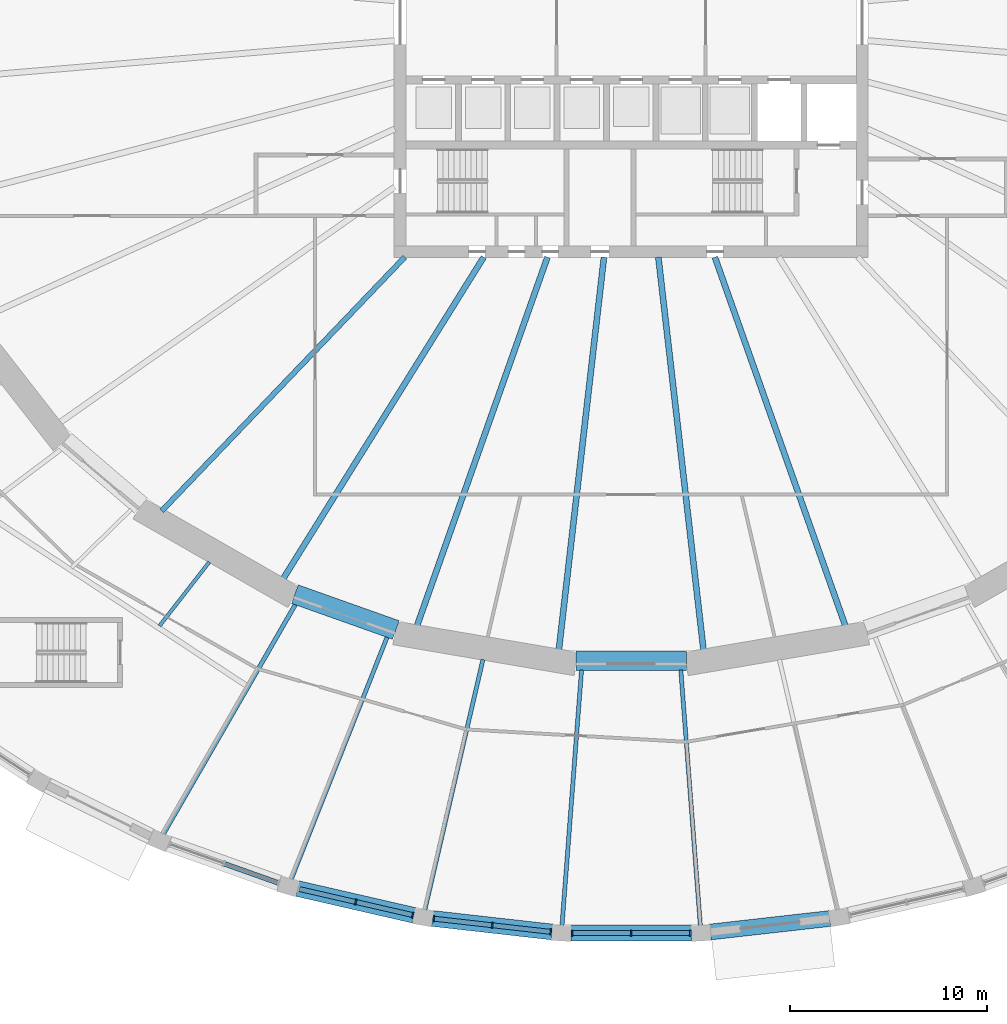
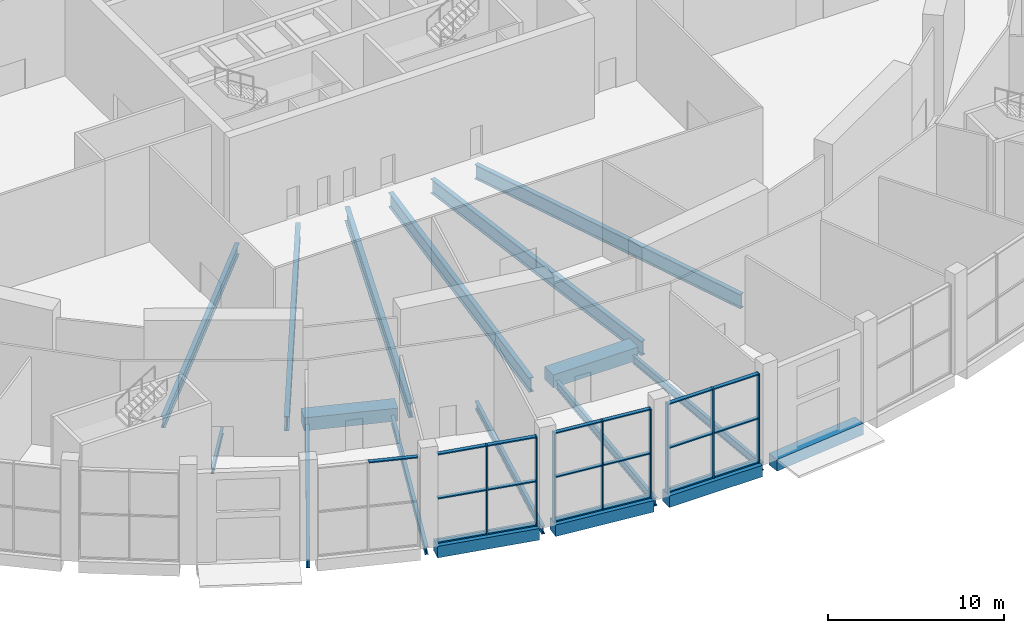
# One storey, part 3 of 33: 27 members, 18 beams, 4 elements without a shape of their own.
"""IFC4 building model written with IfcOpenShell, lengths in metres."""

from ifc_helpers import new_model, si_unit, direction, frame, origin, origin_2d, place, context, subcontext, project, spatial, rectangle, i_section, extrude, material, material_profile, profile_set, type_object, element, aggregate, save


model = new_model("IFC4")

# Units and contexts
model_context = context("Model", 3, precision=1e-05, world=origin(), true_north=direction((0.0, 1.0)))
body_context = subcontext(model_context, "Body", "Model", "MODEL_VIEW")
ifc_project = project(units=[si_unit("LENGTHUNIT", "METRE"), si_unit("AREAUNIT", "SQUARE_METRE"), si_unit("VOLUMEUNIT", "CUBIC_METRE"), si_unit("PLANEANGLEUNIT", "RADIAN"), si_unit("MASSUNIT", "GRAM", prefix="KILO")], contexts=[model_context])

# Site, building, storey
site_placement = place(None, origin())
site = spatial("IfcSite", under=ifc_project, at=site_placement, CompositionType="ELEMENT")
building_placement = place(site_placement, origin())
building = spatial("IfcBuilding", under=site, at=building_placement, Name="Halqa Exchange Tower", CompositionType="ELEMENT")
storey_placement = place(building_placement, origin())
storey = spatial("IfcBuildingStorey", under=building, at=storey_placement, Name="L00", CompositionType="ELEMENT", Elevation=0.0)

# Beams
ifc_material_1 = material(Name="Steel S355", Category="steel")
ifc_material_profile_1 = material_profile(ifc_material_1, i_section(OverallWidth=0.300048828125, OverallDepth=0.989990234375, WebThickness=0.0166015625, FlangeThickness=0.031005859375, FilletRadius=0.030029296875, at=origin_2d()), Name="HEA 1000")
ifc_profile_set_1 = profile_set([ifc_material_profile_1], Name="Steel S355")
beam_type_1 = type_object("IfcBeamType", Name="Floor beam HEA 1000", PredefinedType="BEAM", material=ifc_profile_set_1)
beam_1_placement = place(storey_placement, frame((-7.46533203125, -11.971435546875, -0.945068359375), z_axis=(-0.529145823441, -0.848530905468, 0.0), x_axis=(0.848530905468, -0.529145823441, 0.0)))
element("IfcBeam", 1, at=beam_1_placement, inside=storey, type_object=beam_type_1, Name="Radial beam 22", PredefinedType="BEAM", context=body_context, shape_type="SweptSolid", body=[
    extrude(i_section(OverallWidth=0.300048828125, OverallDepth=0.989990234375, WebThickness=0.0166015625, FlangeThickness=0.031005859375, FilletRadius=0.030029296875, at=origin_2d()), origin(), (0.0, 0.0, 1.0), 19.27294921875),
])
ifc_material_profile_2 = material_profile(ifc_material_1, i_section(OverallWidth=0.300048828125, OverallDepth=1.0, WebThickness=0.01904296875, FlangeThickness=0.035888671875, FilletRadius=0.030029296875, at=origin_2d()), Name="HEB 1000")
ifc_profile_set_2 = profile_set([ifc_material_profile_2], Name="Steel S355")
beam_type_2 = type_object("IfcBeamType", Name="Floor beam HEB 1000", PredefinedType="BEAM", material=ifc_profile_set_2)
beam_2_placement = place(storey_placement, frame((-4.23681640625, -11.971923828125, -0.949951171875), z_axis=(-0.333633039334, -0.942703025913, 0.0), x_axis=(0.942703025913, -0.333633039334, 0.0)))
element("IfcBeam", 2, at=beam_2_placement, inside=storey, type_object=beam_type_2, Name="Radial beam 23", PredefinedType="BEAM", context=body_context, shape_type="SweptSolid", body=[
    extrude(i_section(OverallWidth=0.300048828125, OverallDepth=1.0, WebThickness=0.01904296875, FlangeThickness=0.035888671875, FilletRadius=0.030029296875, at=origin_2d()), origin(), (0.0, 0.0, 1.0), 19.885009765625),
])
for number, where, z_axis, x_axis, name in (
    (3, (-1.375732421875, -11.972900390625, -0.949951171875), (-0.114166838833, -0.99346159106, 0.0), (0.99346159106, -0.114166838833, 0.0), "Radial beam 24"),
    (4, (1.375732421875, -11.972900390625, -0.949951171875), (0.114166838833, -0.99346159106, 0.0), (0.99346159106, 0.114166838833, 0.0), "Radial beam 25"),
):
    element("IfcBeam", number, at=place(storey_placement, frame(where, z_axis=z_axis, x_axis=x_axis)), inside=storey, type_object=beam_type_2, Name=name, PredefinedType="BEAM", context=body_context, shape_type="SweptSolid", body=[
        extrude(i_section(OverallWidth=0.300048828125, OverallDepth=1.0, WebThickness=0.01904296875, FlangeThickness=0.035888671875, FilletRadius=0.030029296875, at=origin_2d()), origin(), (0.0, 0.0, 1.0), 20.103515625),
    ])
beam_3_placement = place(storey_placement, frame((4.23681640625, -11.971923828125, -0.949951171875), z_axis=(0.333633039334, -0.942703025913, 0.0), x_axis=(0.942703025913, 0.333633039334, 0.0)))
element("IfcBeam", 5, at=beam_3_placement, inside=storey, type_object=beam_type_2, Name="Radial beam 26", PredefinedType="BEAM", context=body_context, shape_type="SweptSolid", body=[
    extrude(i_section(OverallWidth=0.300048828125, OverallDepth=1.0, WebThickness=0.01904296875, FlangeThickness=0.035888671875, FilletRadius=0.030029296875, at=origin_2d()), origin(), (0.0, 0.0, 1.0), 19.885009765625),
])
ifc_material_profile_3 = material_profile(ifc_material_1, i_section(OverallWidth=0.179931640625, OverallDepth=0.39990234375, WebThickness=0.008544921875, FlangeThickness=0.013427734375, FilletRadius=0.02099609375, at=origin_2d()), Name="IPE 400")
ifc_profile_set_3 = profile_set([ifc_material_profile_3], Name="Steel S355")
beam_type_3 = type_object("IfcBeamType", Name="Floor beam IPE 400", PredefinedType="BEAM", material=ifc_profile_set_3)
beam_4_placement = place(storey_placement, frame((-21.3603515625, -27.40966796875, -0.64990234375), z_axis=(-0.614706293657, -0.788756091919, 0.0), x_axis=(0.788756091919, -0.614706293657, 0.0)))
element("IfcBeam", 6, at=beam_4_placement, inside=storey, type_object=beam_type_3, Name="Radial beam 32a", PredefinedType="BEAM", context=body_context, shape_type="SweptSolid", body=[
    extrude(i_section(OverallWidth=0.179931640625, OverallDepth=0.39990234375, WebThickness=0.008544921875, FlangeThickness=0.013427734375, FilletRadius=0.02099609375, at=origin_2d()), origin(), (0.0, 0.0, 1.0), 4.104248046875),
])
ifc_material_profile_4 = material_profile(ifc_material_1, i_section(OverallWidth=0.2099609375, OverallDepth=0.550048828125, WebThickness=0.010986328125, FlangeThickness=0.01708984375, FilletRadius=0.02392578125, at=origin_2d()), Name="IPE 550")
ifc_profile_set_4 = profile_set([ifc_material_profile_4], Name="Steel S355")
beam_type_4 = type_object("IfcBeamType", Name="Floor beam IPE 550", PredefinedType="BEAM", material=ifc_profile_set_4)
beam_5_placement = place(storey_placement, frame((-12.352294921875, -31.2001953125, -0.72509765625), z_axis=(-0.368106640822, -0.929783577497, 0.0), x_axis=(0.929783577497, -0.368106640822, 0.0)))
element("IfcBeam", 7, at=beam_5_placement, inside=storey, type_object=beam_type_4, Name="Radial beam 34", PredefinedType="BEAM", context=body_context, shape_type="SweptSolid", body=[
    extrude(i_section(OverallWidth=0.2099609375, OverallDepth=0.550048828125, WebThickness=0.010986328125, FlangeThickness=0.01708984375, FilletRadius=0.02392578125, at=origin_2d()), origin(), (0.0, 0.0, 1.0), 13.22412109375),
])
beam_6_placement = place(storey_placement, frame((-7.5048828125, -32.35009765625, -0.72509765625), z_axis=(-0.2259960959, -0.974128207495, 0.0), x_axis=(0.974128207495, -0.2259960959, 0.0)))
element("IfcBeam", 8, at=beam_6_placement, inside=storey, type_object=beam_type_4, Name="Radial beam 35", PredefinedType="BEAM", context=body_context, shape_type="SweptSolid", body=[
    extrude(i_section(OverallWidth=0.2099609375, OverallDepth=0.550048828125, WebThickness=0.010986328125, FlangeThickness=0.01708984375, FilletRadius=0.02392578125, at=origin_2d()), origin(), (0.0, 0.0, 1.0), 13.03466796875),
])
for number, where, z_axis, x_axis, name in (
    (9, (-2.513916015625, -32.88623046875, -0.72509765625), (-0.076223337155, -0.997090769626, 0.0), (0.997090769626, -0.076223337155, 0.0), "Radial beam 36"),
    (10, (2.513916015625, -32.88623046875, -0.72509765625), (0.076223337155, -0.997090769626, 0.0), (0.997090769626, 0.076223337155, 0.0), "Radial beam 37"),
):
    element("IfcBeam", number, at=place(storey_placement, frame(where, z_axis=z_axis, x_axis=x_axis)), inside=storey, type_object=beam_type_4, Name=name, PredefinedType="BEAM", context=body_context, shape_type="SweptSolid", body=[
        extrude(i_section(OverallWidth=0.2099609375, OverallDepth=0.550048828125, WebThickness=0.010986328125, FlangeThickness=0.01708984375, FilletRadius=0.02392578125, at=origin_2d()), origin(), (0.0, 0.0, 1.0), 12.981689453125),
    ])
ifc_material_profile_5 = material_profile(ifc_material_1, i_section(OverallWidth=0.219970703125, OverallDepth=0.60009765625, WebThickness=0.011962890625, FlangeThickness=0.01904296875, FilletRadius=0.02392578125, at=origin_2d()), Name="IPE 600")
ifc_profile_set_5 = profile_set([ifc_material_profile_5], Name="Steel S355")
beam_type_5 = type_object("IfcBeamType", Name="Floor beam IPE 600", PredefinedType="BEAM", material=ifc_profile_set_5)
beam_7_placement = place(storey_placement, frame((-16.996826171875, -29.551513671875, -0.75), z_axis=(-0.498570786865, -0.866848989435, 0.0), x_axis=(0.866848989435, -0.498570786865, 0.0)))
element("IfcBeam", 11, at=beam_7_placement, inside=storey, type_object=beam_type_5, Name="Radial beam 33", PredefinedType="BEAM", context=body_context, shape_type="SweptSolid", body=[
    extrude(i_section(OverallWidth=0.219970703125, OverallDepth=0.60009765625, WebThickness=0.011962890625, FlangeThickness=0.01904296875, FilletRadius=0.02392578125, at=origin_2d()), origin(), (0.0, 0.0, 1.0), 13.438720703125),
])
ifc_material_profile_6 = material_profile(ifc_material_1, i_section(OverallWidth=0.26806640625, OverallDepth=0.77001953125, WebThickness=0.015625, FlangeThickness=0.025390625, FilletRadius=0.01708984375, at=origin_2d()), Name="IPE 750x196")
ifc_profile_set_6 = profile_set([ifc_material_profile_6], Name="Steel S355")
beam_type_6 = type_object("IfcBeamType", Name="Floor beam IPE 750x196", PredefinedType="BEAM", material=ifc_profile_set_6)
beam_8_placement = place(storey_placement, frame((-11.46240234375, -11.9716796875, -0.8349609375), z_axis=(-0.6915763718, -0.722303344841, 0.0), x_axis=(0.722303344841, -0.6915763718, 0.0)))
element("IfcBeam", 12, at=beam_8_placement, inside=storey, type_object=beam_type_6, Name="Radial beam 21", PredefinedType="BEAM", context=body_context, shape_type="SweptSolid", body=[
    extrude(i_section(OverallWidth=0.26806640625, OverallDepth=0.77001953125, WebThickness=0.015625, FlangeThickness=0.025390625, FilletRadius=0.01708984375, at=origin_2d()), origin(), (0.0, 0.0, 1.0), 17.7978515625),
])
ifc_material_2 = material(Name="Concrete C60/75", Category="concrete")
ifc_material_profile_7 = material_profile(ifc_material_2, rectangle(XDim=0.800048828125, YDim=0.800048828125, at=origin_2d()), Name="800 x 800")
ifc_profile_set_7 = profile_set([ifc_material_profile_7], Name="Concrete C60/75")
beam_type_7 = type_object("IfcBeamType", Name="RC podium edge beam 800 x 800 C60/75", PredefinedType="SPANDREL", material=ifc_profile_set_7)
beam_9_placement = place(storey_placement, frame((-16.89794921875, -43.948486328125, -0.39990234375), z_axis=(0.974604133477, -0.223934774008, 0.0), x_axis=(0.223934774008, 0.974604133477, 0.0)))
element("IfcBeam", 13, at=beam_9_placement, inside=storey, type_object=beam_type_7, Name="Podium edge beam 34", PredefinedType="SPANDREL", context=body_context, shape_type="SweptSolid", body=[
    extrude(rectangle(XDim=0.800048828125, YDim=0.800048828125, at=origin_2d()), origin(), (0.0, 0.0, 1.0), 6.05517578125),
])
beam_10_placement = place(storey_placement, frame((-10.064453125, -45.46337890625, -0.39990234375), z_axis=(0.993688954696, -0.112170679393, 0.0), x_axis=(0.112170679393, 0.993688954696, 0.0)))
element("IfcBeam", 14, at=beam_10_placement, inside=storey, type_object=beam_type_7, Name="Podium edge beam 35", PredefinedType="SPANDREL", context=body_context, shape_type="SweptSolid", body=[
    extrude(rectangle(XDim=0.800048828125, YDim=0.800048828125, at=origin_2d()), origin(), (0.0, 0.0, 1.0), 6.100830078125),
])
beam_11_placement = place(storey_placement, frame((-3.05859375, -46.200927734375, -0.39990234375), z_axis=(1.0, 0.0, 0.0), x_axis=(0.0, 1.0, 0.0)))
element("IfcBeam", 15, at=beam_11_placement, inside=storey, type_object=beam_type_7, Name="Podium edge beam 36", PredefinedType="SPANDREL", context=body_context, shape_type="SweptSolid", body=[
    extrude(rectangle(XDim=0.800048828125, YDim=0.800048828125, at=origin_2d()), origin(), (0.0, 0.0, 1.0), 6.1171875),
])
beam_12_placement = place(storey_placement, frame((4.002197265625, -46.147705078125, -0.39990234375), z_axis=(0.993688954696, 0.112170679393, 0.0), x_axis=(-0.112170679393, 0.993688954696, 0.0)))
element("IfcBeam", 16, at=beam_12_placement, inside=storey, type_object=beam_type_7, Name="Podium edge beam 37", PredefinedType="SPANDREL", context=body_context, shape_type="SweptSolid", body=[
    extrude(rectangle(XDim=0.800048828125, YDim=0.800048828125, at=origin_2d()), origin(), (0.0, 0.0, 1.0), 6.100830078125),
])
ifc_material_profile_8 = material_profile(ifc_material_2, rectangle(XDim=1.0, YDim=0.89990234375, at=origin_2d()), Name="1000 x 900")
ifc_profile_set_8 = profile_set([ifc_material_profile_8], Name="Concrete C60/75")
beam_type_8 = type_object("IfcBeamType", Name="RC spandrel beam 1000 x 900 C60/75", PredefinedType="SPANDREL", material=ifc_profile_set_8)
beam_13_placement = place(storey_placement, frame((-17.030029296875, -29.038818359375, -0.449951171875), z_axis=(0.942357788657, -0.334606930826, 0.0), x_axis=(0.334606930826, 0.942357788657, 0.0)))
element("IfcBeam", 17, at=beam_13_placement, inside=storey, type_object=beam_type_8, Name="Spandrel 22", PredefinedType="SPANDREL", context=body_context, shape_type="SweptSolid", body=[
    extrude(rectangle(XDim=1.0, YDim=0.89990234375, at=origin_2d()), origin(), (0.0, 0.0, 1.0), 5.429931640625),
])
beam_14_placement = place(storey_placement, frame((-2.789794921875, -32.41455078125, -0.449951171875), z_axis=(1.0, 0.0, 0.0), x_axis=(0.0, 1.0, 0.0)))
element("IfcBeam", 18, at=beam_14_placement, inside=storey, type_object=beam_type_8, Name="Spandrel 24", PredefinedType="SPANDREL", context=body_context, shape_type="SweptSolid", body=[
    extrude(rectangle(XDim=1.0, YDim=0.89990234375, at=origin_2d()), origin(), (0.0, 0.0, 1.0), 5.57958984375),
])

# Curtain wall, members
ifc_material_3 = material(Name="Anodised aluminium and clear glass", Category="aluminium")
curtain_wall_type = type_object("IfcCurtainWallType", Name="Station concourse glazing", PredefinedType="NOTDEFINED", material=ifc_material_3)
curtain_wall_1_placement = place(storey_placement, origin())
curtain_wall_1 = element("IfcCurtainWall", 19, at=curtain_wall_1_placement, inside=storey, type_object=curtain_wall_type, Name="Station concourse glazing run P34", PredefinedType="NOTDEFINED")
ifc_material_4 = material(Name="Anodised aluminium", Category="aluminium")
ifc_material_profile_9 = material_profile(ifc_material_4, rectangle(XDim=0.300048828125, YDim=0.080078125, at=origin_2d()), Name="AL 80x300")
ifc_profile_set_9 = profile_set([ifc_material_profile_9], Name="Anodised aluminium")
member_type_1 = type_object("IfcMemberType", Name="Station concourse glazing mullion 80 x 300", PredefinedType="MULLION", material=ifc_profile_set_9)
member_1_placement = place(storey_placement, frame((-13.9462890625, -44.626708984375, 0.0), z_axis=(0.0, 0.0, 1.0), x_axis=(0.223896655269, 0.974612891234, 0.0)))
member_1 = element("IfcMember", 20, at=member_1_placement, type_object=member_type_1, Name="P34 mullion 2", PredefinedType="MULLION", context=body_context, shape_type="SweptSolid", body=[
    extrude(rectangle(XDim=0.300048828125, YDim=0.080078125, at=origin_2d()), origin(), (0.0, 0.0, 1.0), 6.199951171875),
])
member_2_placement = place(storey_placement, frame((-11.061279296875, -45.28955078125, 0.0), z_axis=(0.0, 0.0, 1.0), x_axis=(0.223896655269, 0.974612891234, 0.0)))
member_2 = element("IfcMember", 21, at=member_2_placement, type_object=member_type_1, Name="P34 mullion 3", PredefinedType="MULLION", context=body_context, shape_type="SweptSolid", body=[
    extrude(rectangle(XDim=0.300048828125, YDim=0.080078125, at=origin_2d()), origin(), (0.0, 0.0, 1.0), 6.199951171875),
])

curtain_wall_2_placement = place(storey_placement, origin())
curtain_wall_2 = element("IfcCurtainWall", 22, at=curtain_wall_2_placement, inside=storey, type_object=curtain_wall_type, Name="Station concourse glazing run P35", PredefinedType="NOTDEFINED")
member_3_placement = place(storey_placement, frame((-9.998291015625, -45.470947265625, 0.0), z_axis=(0.0, 0.0, 1.0), x_axis=(0.112159098874, 0.993690261872, 0.0)))
member_3 = element("IfcMember", 23, at=member_3_placement, type_object=member_type_1, Name="P35 mullion 1", PredefinedType="MULLION", context=body_context, shape_type="SweptSolid", body=[
    extrude(rectangle(XDim=0.300048828125, YDim=0.080078125, at=origin_2d()), origin(), (0.0, 0.0, 1.0), 6.199951171875),
])
member_4_placement = place(storey_placement, frame((-7.033447265625, -45.8056640625, 0.0), z_axis=(0.0, 0.0, 1.0), x_axis=(0.112159098874, 0.993690261872, 0.0)))
member_4 = element("IfcMember", 24, at=member_4_placement, type_object=member_type_1, Name="P35 mullion 2", PredefinedType="MULLION", context=body_context, shape_type="SweptSolid", body=[
    extrude(rectangle(XDim=0.300048828125, YDim=0.080078125, at=origin_2d()), origin(), (0.0, 0.0, 1.0), 6.199951171875),
])
member_5_placement = place(storey_placement, frame((-4.068359375, -46.140380859375, 0.0), z_axis=(0.0, 0.0, 1.0), x_axis=(0.112159098874, 0.993690261872, 0.0)))
member_5 = element("IfcMember", 25, at=member_5_placement, type_object=member_type_1, Name="P35 mullion 3", PredefinedType="MULLION", context=body_context, shape_type="SweptSolid", body=[
    extrude(rectangle(XDim=0.300048828125, YDim=0.080078125, at=origin_2d()), origin(), (0.0, 0.0, 1.0), 6.199951171875),
])

curtain_wall_3_placement = place(storey_placement, origin())
curtain_wall_3 = element("IfcCurtainWall", 26, at=curtain_wall_3_placement, inside=storey, type_object=curtain_wall_type, Name="Station concourse glazing run P36", PredefinedType="NOTDEFINED")
member_6_placement = place(storey_placement, frame((-2.99169921875, -46.200927734375, 0.0), z_axis=(0.0, 0.0, 1.0), x_axis=(0.0, 1.0, 0.0)))
member_6 = element("IfcMember", 27, at=member_6_placement, type_object=member_type_1, Name="P36 mullion 1", PredefinedType="MULLION", context=body_context, shape_type="SweptSolid", body=[
    extrude(rectangle(XDim=0.300048828125, YDim=0.080078125, at=origin_2d()), origin(), (0.0, 0.0, 1.0), 6.199951171875),
])
member_7_placement = place(storey_placement, frame((0.0, -46.200927734375, 0.0), z_axis=(0.0, 0.0, 1.0), x_axis=(0.0, 1.0, 0.0)))
member_7 = element("IfcMember", 28, at=member_7_placement, type_object=member_type_1, Name="P36 mullion 2", PredefinedType="MULLION", context=body_context, shape_type="SweptSolid", body=[
    extrude(rectangle(XDim=0.300048828125, YDim=0.080078125, at=origin_2d()), origin(), (0.0, 0.0, 1.0), 6.199951171875),
])
member_8_placement = place(storey_placement, frame((2.99169921875, -46.200927734375, 0.0), z_axis=(0.0, 0.0, 1.0), x_axis=(0.0, 1.0, 0.0)))
member_8 = element("IfcMember", 29, at=member_8_placement, type_object=member_type_1, Name="P36 mullion 3", PredefinedType="MULLION", context=body_context, shape_type="SweptSolid", body=[
    extrude(rectangle(XDim=0.300048828125, YDim=0.080078125, at=origin_2d()), origin(), (0.0, 0.0, 1.0), 6.199951171875),
])

# Curtain wall, member
curtain_wall_4_placement = place(storey_placement, origin())
curtain_wall_4 = element("IfcCurtainWall", 30, at=curtain_wall_4_placement, inside=storey, type_object=curtain_wall_type, Name="Station concourse glazing run P33", PredefinedType="NOTDEFINED")
ifc_material_profile_10 = material_profile(ifc_material_4, rectangle(XDim=0.25, YDim=0.080078125, at=origin_2d()), Name="AL 80x250")
ifc_profile_set_10 = profile_set([ifc_material_profile_10], Name="Anodised aluminium")
member_type_2 = type_object("IfcMemberType", Name="Station concourse glazing transom 80 x 250", PredefinedType="USERDEFINED", material=ifc_profile_set_10)
member_9_placement = place(storey_placement, frame((-20.5830078125, -42.697509765625, 6.159912109375), z_axis=(0.942327292473, -0.33469280521, 0.0), x_axis=(0.33469280521, 0.942327292473, 0.0)))
member_9 = element("IfcMember", 31, at=member_9_placement, type_object=member_type_2, Name="P33 transom 2.3", ObjectType="TRANSOM", PredefinedType="USERDEFINED", context=body_context, shape_type="SweptSolid", body=[
    extrude(rectangle(XDim=0.25, YDim=0.080078125, at=origin_2d()), origin(), (0.0, 0.0, 1.0), 2.8427734375),
])
aggregate(curtain_wall_4, [member_9])

# Member
member_10_placement = place(storey_placement, frame((-16.79248046875, -43.972900390625, 0.0400390625), z_axis=(0.974620692621, -0.223862693443, 0.0), x_axis=(0.223862693443, 0.974620692621, 0.0)))
member_10 = element("IfcMember", 32, at=member_10_placement, type_object=member_type_2, Name="P34 transom 1.1", ObjectType="TRANSOM", PredefinedType="USERDEFINED", context=body_context, shape_type="SweptSolid", body=[
    extrude(rectangle(XDim=0.25, YDim=0.080078125, at=origin_2d()), origin(), (0.0, 0.0, 1.0), 2.880126953125),
])

member_11_placement = place(storey_placement, frame((-16.79248046875, -43.972900390625, 3.10009765625), z_axis=(0.974620692621, -0.223862693443, 0.0), x_axis=(0.223862693443, 0.974620692621, 0.0)))
member_11 = element("IfcMember", 33, at=member_11_placement, type_object=member_type_2, Name="P34 transom 1.2", ObjectType="TRANSOM", PredefinedType="USERDEFINED", context=body_context, shape_type="SweptSolid", body=[
    extrude(rectangle(XDim=0.25, YDim=0.080078125, at=origin_2d()), origin(), (0.0, 0.0, 1.0), 2.880126953125),
])

member_12_placement = place(storey_placement, frame((-16.79248046875, -43.972900390625, 6.159912109375), z_axis=(0.974620692621, -0.223862693443, 0.0), x_axis=(0.223862693443, 0.974620692621, 0.0)))
member_12 = element("IfcMember", 34, at=member_12_placement, type_object=member_type_2, Name="P34 transom 1.3", ObjectType="TRANSOM", PredefinedType="USERDEFINED", context=body_context, shape_type="SweptSolid", body=[
    extrude(rectangle(XDim=0.25, YDim=0.080078125, at=origin_2d()), origin(), (0.0, 0.0, 1.0), 2.880126953125),
])

member_13_placement = place(storey_placement, frame((-13.9072265625, -44.635498046875, 0.0400390625), z_axis=(0.974602195653, -0.223943207594, 0.0), x_axis=(0.223943207594, 0.974602195653, 0.0)))
member_13 = element("IfcMember", 35, at=member_13_placement, type_object=member_type_2, Name="P34 transom 2.1", ObjectType="TRANSOM", PredefinedType="USERDEFINED", context=body_context, shape_type="SweptSolid", body=[
    extrude(rectangle(XDim=0.25, YDim=0.080078125, at=origin_2d()), origin(), (0.0, 0.0, 1.0), 2.88037109375),
])

member_14_placement = place(storey_placement, frame((-13.9072265625, -44.635498046875, 3.10009765625), z_axis=(0.974602195653, -0.223943207594, 0.0), x_axis=(0.223943207594, 0.974602195653, 0.0)))
member_14 = element("IfcMember", 36, at=member_14_placement, type_object=member_type_2, Name="P34 transom 2.2", ObjectType="TRANSOM", PredefinedType="USERDEFINED", context=body_context, shape_type="SweptSolid", body=[
    extrude(rectangle(XDim=0.25, YDim=0.080078125, at=origin_2d()), origin(), (0.0, 0.0, 1.0), 2.88037109375),
])

member_15_placement = place(storey_placement, frame((-13.9072265625, -44.635498046875, 6.159912109375), z_axis=(0.974602195653, -0.223943207594, 0.0), x_axis=(0.223943207594, 0.974602195653, 0.0)))
member_15 = element("IfcMember", 37, at=member_15_placement, type_object=member_type_2, Name="P34 transom 2.3", ObjectType="TRANSOM", PredefinedType="USERDEFINED", context=body_context, shape_type="SweptSolid", body=[
    extrude(rectangle(XDim=0.25, YDim=0.080078125, at=origin_2d()), origin(), (0.0, 0.0, 1.0), 2.88037109375),
])

aggregate(curtain_wall_1, [member_1, member_2, member_10, member_11, member_12, member_13, member_14, member_15])

member_16_placement = place(storey_placement, frame((-9.95849609375, -45.4755859375, 0.0400390625), z_axis=(0.993690503088, -0.112156961767, 0.0), x_axis=(0.112156961767, 0.993690503088, 0.0)))
member_16 = element("IfcMember", 38, at=member_16_placement, type_object=member_type_2, Name="P35 transom 1.1", ObjectType="TRANSOM", PredefinedType="USERDEFINED", context=body_context, shape_type="SweptSolid", body=[
    extrude(rectangle(XDim=0.25, YDim=0.080078125, at=origin_2d()), origin(), (0.0, 0.0, 1.0), 2.90380859375),
])

member_17_placement = place(storey_placement, frame((-9.95849609375, -45.4755859375, 3.10009765625), z_axis=(0.993690503088, -0.112156961767, 0.0), x_axis=(0.112156961767, 0.993690503088, 0.0)))
member_17 = element("IfcMember", 39, at=member_17_placement, type_object=member_type_2, Name="P35 transom 1.2", ObjectType="TRANSOM", PredefinedType="USERDEFINED", context=body_context, shape_type="SweptSolid", body=[
    extrude(rectangle(XDim=0.25, YDim=0.080078125, at=origin_2d()), origin(), (0.0, 0.0, 1.0), 2.90380859375),
])

member_18_placement = place(storey_placement, frame((-9.95849609375, -45.4755859375, 6.159912109375), z_axis=(0.993690503088, -0.112156961767, 0.0), x_axis=(0.112156961767, 0.993690503088, 0.0)))
member_18 = element("IfcMember", 40, at=member_18_placement, type_object=member_type_2, Name="P35 transom 1.3", ObjectType="TRANSOM", PredefinedType="USERDEFINED", context=body_context, shape_type="SweptSolid", body=[
    extrude(rectangle(XDim=0.25, YDim=0.080078125, at=origin_2d()), origin(), (0.0, 0.0, 1.0), 2.90380859375),
])

member_19_placement = place(storey_placement, frame((-6.99365234375, -45.81005859375, 0.0400390625), z_axis=(0.993690503088, -0.112156961767, 0.0), x_axis=(0.112156961767, 0.993690503088, 0.0)))
member_19 = element("IfcMember", 41, at=member_19_placement, type_object=member_type_2, Name="P35 transom 2.1", ObjectType="TRANSOM", PredefinedType="USERDEFINED", context=body_context, shape_type="SweptSolid", body=[
    extrude(rectangle(XDim=0.25, YDim=0.080078125, at=origin_2d()), origin(), (0.0, 0.0, 1.0), 2.90380859375),
])

member_20_placement = place(storey_placement, frame((-6.99365234375, -45.81005859375, 3.10009765625), z_axis=(0.993690503088, -0.112156961767, 0.0), x_axis=(0.112156961767, 0.993690503088, 0.0)))
member_20 = element("IfcMember", 42, at=member_20_placement, type_object=member_type_2, Name="P35 transom 2.2", ObjectType="TRANSOM", PredefinedType="USERDEFINED", context=body_context, shape_type="SweptSolid", body=[
    extrude(rectangle(XDim=0.25, YDim=0.080078125, at=origin_2d()), origin(), (0.0, 0.0, 1.0), 2.90380859375),
])

member_21_placement = place(storey_placement, frame((-6.99365234375, -45.81005859375, 6.159912109375), z_axis=(0.993690503088, -0.112156961767, 0.0), x_axis=(0.112156961767, 0.993690503088, 0.0)))
member_21 = element("IfcMember", 43, at=member_21_placement, type_object=member_type_2, Name="P35 transom 2.3", ObjectType="TRANSOM", PredefinedType="USERDEFINED", context=body_context, shape_type="SweptSolid", body=[
    extrude(rectangle(XDim=0.25, YDim=0.080078125, at=origin_2d()), origin(), (0.0, 0.0, 1.0), 2.90380859375),
])

aggregate(curtain_wall_2, [member_3, member_4, member_5, member_16, member_17, member_18, member_19, member_20, member_21])

member_22_placement = place(storey_placement, frame((-2.951904296875, -46.200927734375, 0.0400390625), z_axis=(1.0, 0.0, 0.0), x_axis=(0.0, 1.0, 0.0)))
member_22 = element("IfcMember", 44, at=member_22_placement, type_object=member_type_2, Name="P36 transom 1.1", ObjectType="TRANSOM", PredefinedType="USERDEFINED", context=body_context, shape_type="SweptSolid", body=[
    extrude(rectangle(XDim=0.25, YDim=0.080078125, at=origin_2d()), origin(), (0.0, 0.0, 1.0), 2.911865234375),
])

member_23_placement = place(storey_placement, frame((-2.951904296875, -46.200927734375, 3.10009765625), z_axis=(1.0, 0.0, 0.0), x_axis=(0.0, 1.0, 0.0)))
member_23 = element("IfcMember", 45, at=member_23_placement, type_object=member_type_2, Name="P36 transom 1.2", ObjectType="TRANSOM", PredefinedType="USERDEFINED", context=body_context, shape_type="SweptSolid", body=[
    extrude(rectangle(XDim=0.25, YDim=0.080078125, at=origin_2d()), origin(), (0.0, 0.0, 1.0), 2.911865234375),
])

member_24_placement = place(storey_placement, frame((-2.951904296875, -46.200927734375, 6.159912109375), z_axis=(1.0, 0.0, 0.0), x_axis=(0.0, 1.0, 0.0)))
member_24 = element("IfcMember", 46, at=member_24_placement, type_object=member_type_2, Name="P36 transom 1.3", ObjectType="TRANSOM", PredefinedType="USERDEFINED", context=body_context, shape_type="SweptSolid", body=[
    extrude(rectangle(XDim=0.25, YDim=0.080078125, at=origin_2d()), origin(), (0.0, 0.0, 1.0), 2.911865234375),
])

member_25_placement = place(storey_placement, frame((0.0400390625, -46.200927734375, 0.0400390625), z_axis=(1.0, 0.0, 0.0), x_axis=(0.0, 1.0, 0.0)))
member_25 = element("IfcMember", 47, at=member_25_placement, type_object=member_type_2, Name="P36 transom 2.1", ObjectType="TRANSOM", PredefinedType="USERDEFINED", context=body_context, shape_type="SweptSolid", body=[
    extrude(rectangle(XDim=0.25, YDim=0.080078125, at=origin_2d()), origin(), (0.0, 0.0, 1.0), 2.911865234375),
])

member_26_placement = place(storey_placement, frame((0.0400390625, -46.200927734375, 3.10009765625), z_axis=(1.0, 0.0, 0.0), x_axis=(0.0, 1.0, 0.0)))
member_26 = element("IfcMember", 48, at=member_26_placement, type_object=member_type_2, Name="P36 transom 2.2", ObjectType="TRANSOM", PredefinedType="USERDEFINED", context=body_context, shape_type="SweptSolid", body=[
    extrude(rectangle(XDim=0.25, YDim=0.080078125, at=origin_2d()), origin(), (0.0, 0.0, 1.0), 2.911865234375),
])

member_27_placement = place(storey_placement, frame((0.0400390625, -46.200927734375, 6.159912109375), z_axis=(1.0, 0.0, 0.0), x_axis=(0.0, 1.0, 0.0)))
member_27 = element("IfcMember", 49, at=member_27_placement, type_object=member_type_2, Name="P36 transom 2.3", ObjectType="TRANSOM", PredefinedType="USERDEFINED", context=body_context, shape_type="SweptSolid", body=[
    extrude(rectangle(XDim=0.25, YDim=0.080078125, at=origin_2d()), origin(), (0.0, 0.0, 1.0), 2.911865234375),
])

aggregate(curtain_wall_3, [member_6, member_7, member_8, member_22, member_23, member_24, member_25, member_26, member_27])

save(model, "model.ifc")
